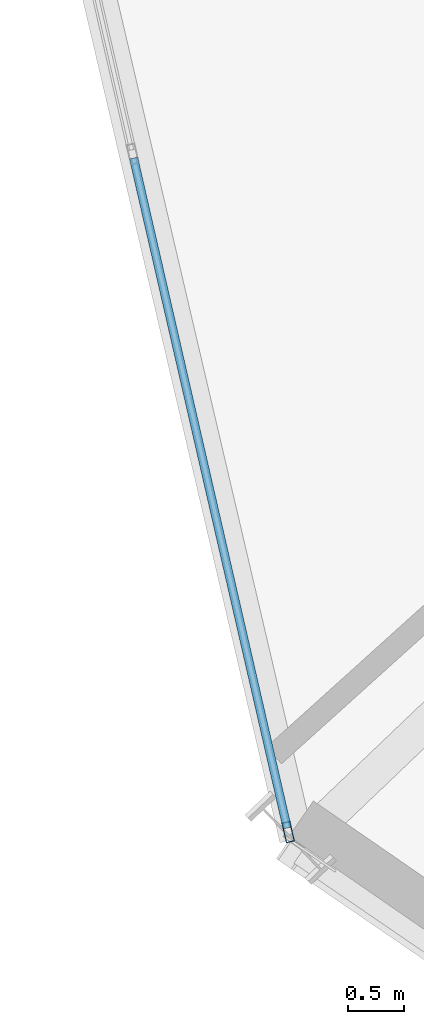
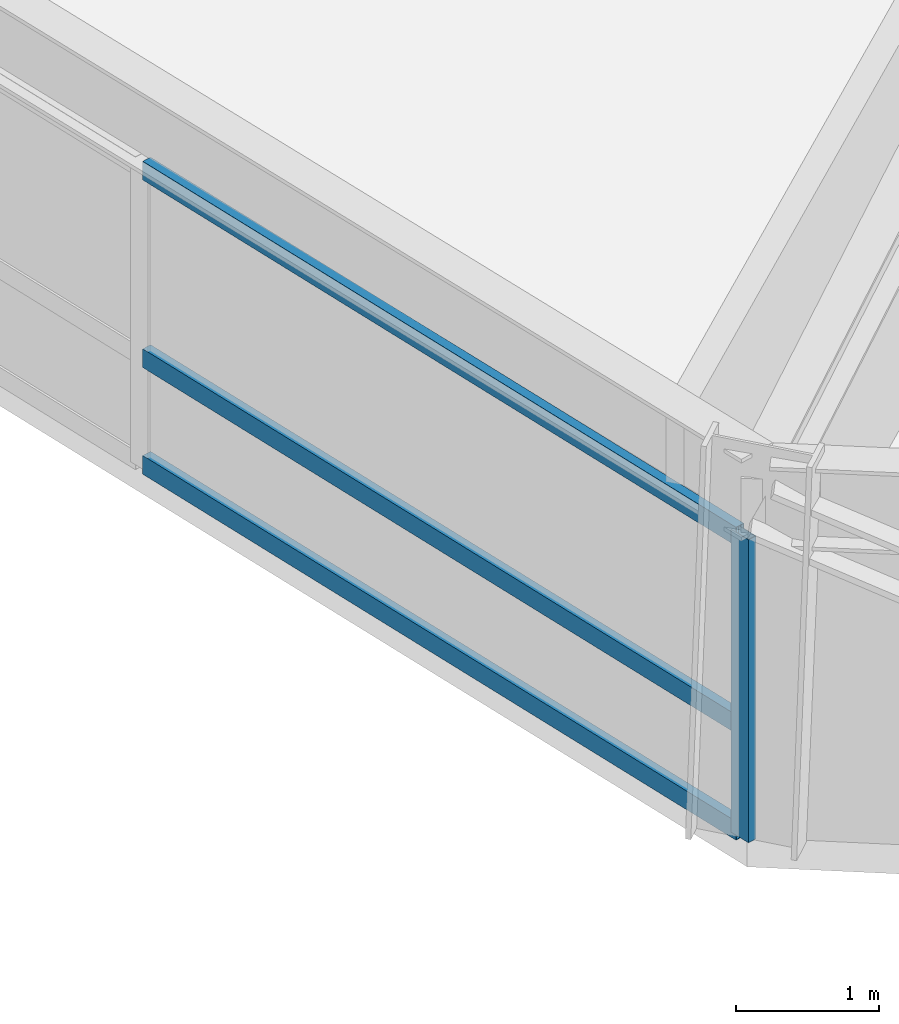
# One storey, part 2 of 23: 4 members, 1 element without a shape of its own.
"""IFC4 building model written with IfcOpenShell, lengths in metres."""

from ifc_helpers import new_model, si_unit, direction, frame, origin, origin_2d, place, context, subcontext, project, spatial, hollow_rectangle, extrude, source, transform, mapped, material, material_profile, profile_set, type_object, element, aggregate, save


model = new_model("IFC4")

# Units and contexts
model_context = context("Model", 3, precision=1e-05, world=origin(), true_north=direction((0.0, 1.0)))
body_context = subcontext(model_context, "Body", "Model", "MODEL_VIEW")
ifc_project = project(units=[si_unit("LENGTHUNIT", "METRE"), si_unit("AREAUNIT", "SQUARE_METRE"), si_unit("VOLUMEUNIT", "CUBIC_METRE"), si_unit("PLANEANGLEUNIT", "RADIAN"), si_unit("MASSUNIT", "GRAM", prefix="KILO")], contexts=[model_context])

# Site, building, storey
site_placement = place(None, origin())
site = spatial("IfcSite", under=ifc_project, at=site_placement, CompositionType="ELEMENT")
building_placement = place(site_placement, origin())
building = spatial("IfcBuilding", under=site, at=building_placement, Name="Olszyna Solenne Hotel", CompositionType="ELEMENT")
storey_placement = place(building_placement, frame((0.0, 0.0, 32.85009765625)))
storey = spatial("IfcBuildingStorey", under=building, at=storey_placement, Name="L07", CompositionType="ELEMENT", Elevation=32.85009765625)

# Curtain wall, members
ifc_material = material(Name="Anodised bronze aluminium", Category="aluminium")
curtain_wall_type = type_object("IfcCurtainWallType", Name="CW-SYS-2", PredefinedType="NOTDEFINED", material=ifc_material)
curtain_wall_placement = place(storey_placement, origin())
curtain_wall = element("IfcCurtainWall", 1, at=curtain_wall_placement, inside=storey, type_object=curtain_wall_type, Name="Unitised curtain wall CW-SYS-2 CW-L07-01", PredefinedType="NOTDEFINED")
ifc_material_profile_1 = material_profile(ifc_material, hollow_rectangle(XDim=0.074951171875, YDim=0.179931640625, WallThickness=0.00439453125, at=origin_2d()), Name="MULL 180x75x4.5", Category="load-bearing")
ifc_profile_set_1 = profile_set([ifc_material_profile_1], Name="Anodised bronze aluminium")
member_type_1 = type_object("IfcMemberType", Name="CW-M2", PredefinedType="MULLION", material=ifc_profile_set_1)
shared_shape_1 = source(origin(), body_context, "Body", "SweptSolid", [
    extrude(hollow_rectangle(XDim=0.074951171875, YDim=0.179931640625, WallThickness=0.00439453125, at=origin_2d()), origin(), (0.0, 0.0, 1.0), 2.591796875),
])
member_1_placement = place(storey_placement, frame((19.119384765625, 8.78466796875, 0.0), z_axis=(0.0, 0.0, 1.0), x_axis=(0.97469588645, 0.22353507317, 0.0)))
member_1 = element("IfcMember", 2, at=member_1_placement, type_object=member_type_1, Name="Curtain-wall mullion CW-M2 CM-L07-01-04", PredefinedType="MULLION", context=body_context, shape_type="MappedRepresentation", body=[
    mapped(shared_shape_1, transform((0.0, 0.0, 0.0), x_axis=(1.0, 0.0, 0.0), y_axis=(0.0, 1.0, 0.0), z_axis=(0.0, 0.0, 1.0), scale=1.0)),
])
ifc_material_profile_2 = material_profile(ifc_material, hollow_rectangle(XDim=0.074951171875, YDim=0.159912109375, WallThickness=0.00390625, at=origin_2d()), Name="TRAN 160x75x4", Category="load-bearing")
ifc_profile_set_2 = profile_set([ifc_material_profile_2], Name="Anodised bronze aluminium")
member_type_2 = type_object("IfcMemberType", Name="CW-T1", PredefinedType="USERDEFINED", material=ifc_profile_set_2)
shared_shape_2 = source(origin(), body_context, "Body", "SweptSolid", [
    extrude(hollow_rectangle(XDim=0.074951171875, YDim=0.159912109375, WallThickness=0.00390625, at=origin_2d()), origin(), (0.0, 0.0, 1.0), 6.10693359375),
])
member_2_placement = place(storey_placement, frame((17.745849609375, 14.7734375, 0.037353515625), z_axis=(0.223516216663, -0.974700210777, 0.0), x_axis=(0.974700210777, 0.223516216663, 0.0)))
member_2 = element("IfcMember", 3, at=member_2_placement, type_object=member_type_2, Name="Curtain-wall transom CW-T1 CT-L07-01-07", ObjectType="TRANSOM", PredefinedType="USERDEFINED", context=body_context, shape_type="MappedRepresentation", body=[
    mapped(shared_shape_2, transform((0.0, 0.0, 0.0), x_axis=(1.0, 0.0, 0.0), y_axis=(0.0, 1.0, 0.0), z_axis=(0.0, 0.0, 1.0), scale=1.0)),
])
member_3_placement = place(storey_placement, frame((17.745849609375, 14.7734375, 0.949951171875), z_axis=(0.223516216663, -0.974700210777, 0.0), x_axis=(0.974700210777, 0.223516216663, 0.0)))
member_3 = element("IfcMember", 4, at=member_3_placement, type_object=member_type_2, Name="Curtain-wall transom CW-T1 CT-L07-01-08", ObjectType="TRANSOM", PredefinedType="USERDEFINED", context=body_context, shape_type="MappedRepresentation", body=[
    mapped(shared_shape_2, transform((0.0, 0.0, 0.0), x_axis=(1.0, 0.0, 0.0), y_axis=(0.0, 1.0, 0.0), z_axis=(0.0, 0.0, 1.0), scale=1.0)),
])
member_4_placement = place(storey_placement, frame((17.745849609375, 14.7734375, 2.554443359375), z_axis=(0.223516216663, -0.974700210777, 0.0), x_axis=(0.974700210777, 0.223516216663, 0.0)))
member_4 = element("IfcMember", 5, at=member_4_placement, type_object=member_type_2, Name="Curtain-wall transom CW-T1 CT-L07-01-09", ObjectType="TRANSOM", PredefinedType="USERDEFINED", context=body_context, shape_type="MappedRepresentation", body=[
    mapped(shared_shape_2, transform((0.0, 0.0, 0.0), x_axis=(1.0, 0.0, 0.0), y_axis=(0.0, 1.0, 0.0), z_axis=(0.0, 0.0, 1.0), scale=1.0)),
])
aggregate(curtain_wall, [member_1, member_2, member_3, member_4])

save(model, "model.ifc")
